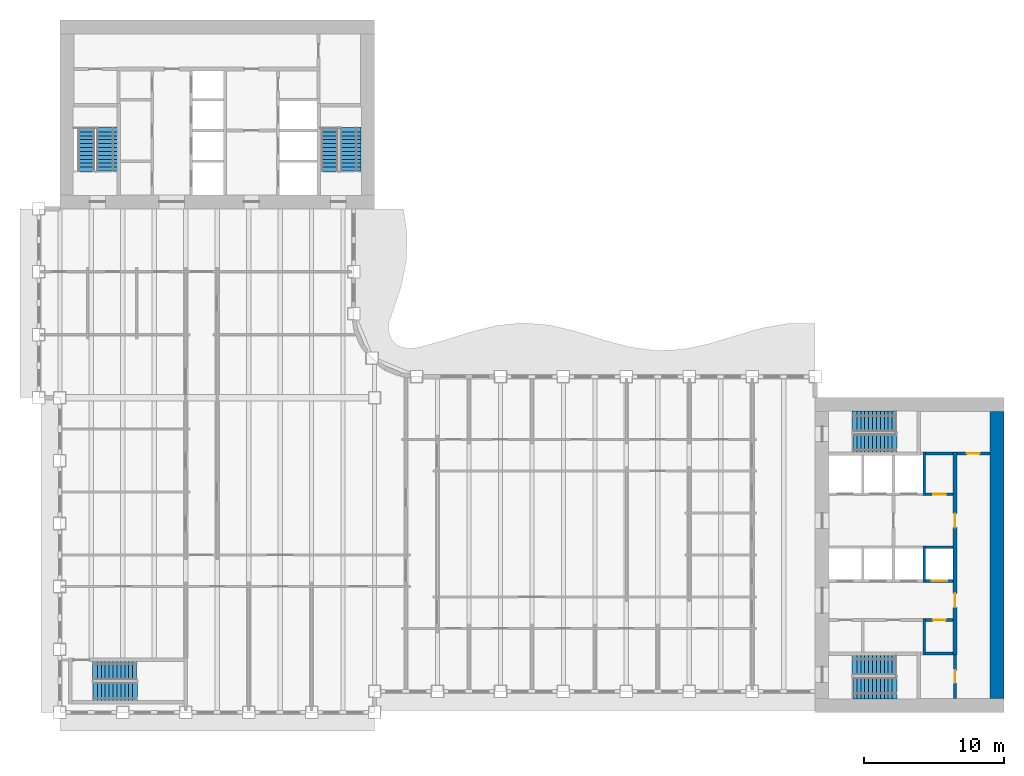
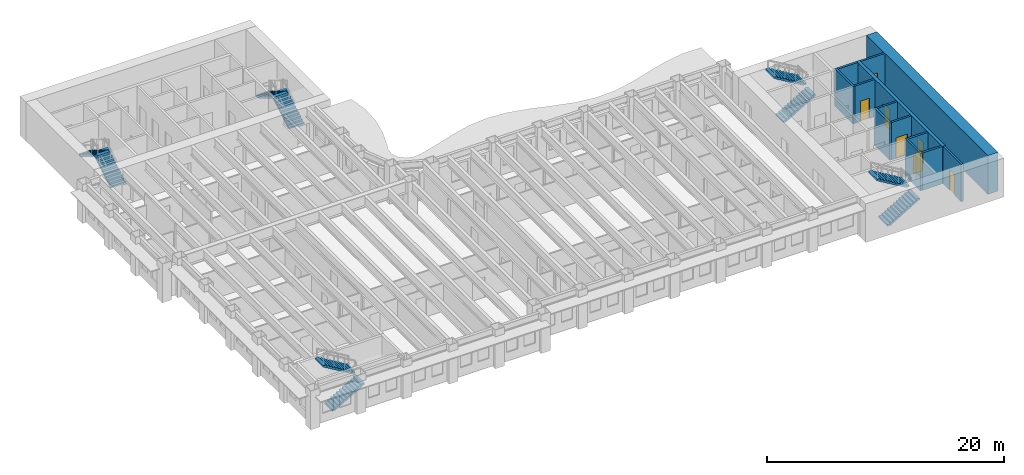
# One storey, part 10 of 16: 13 walls, 10 stair flights, 7 doors, 7 openings, 5 elements without a shape of their own.
"""IFC4 building model written with IfcOpenShell, lengths in metres."""

from ifc_helpers import new_model, si_unit, direction, frame, frame_2d, origin, place, context, subcontext, project, spatial, polyline, rectangle, outline, extrude, material, layer, layer_set, type_object, element, fill, aggregate, save


model = new_model("IFC4")

# Units and contexts
model_context = context("Model", 3, precision=1e-05, world=origin(), true_north=direction((0.0, 1.0)))
body_context = subcontext(model_context, "Body", "Model", "MODEL_VIEW")
ifc_project = project(units=[si_unit("LENGTHUNIT", "METRE"), si_unit("AREAUNIT", "SQUARE_METRE"), si_unit("VOLUMEUNIT", "CUBIC_METRE"), si_unit("PLANEANGLEUNIT", "RADIAN"), si_unit("MASSUNIT", "GRAM", prefix="KILO")], contexts=[model_context])

# Site, building, storey
site_placement = place(None, origin())
site = spatial("IfcSite", under=ifc_project, at=site_placement, CompositionType="ELEMENT")
building_placement = place(site_placement, origin())
building = spatial("IfcBuilding", under=site, at=building_placement, Name="Sennacour Bend Tower", CompositionType="ELEMENT")
storey_placement = place(building_placement, frame((0.0, 0.0, 159.0)))
storey = spatial("IfcBuildingStorey", under=building, at=storey_placement, Name="L36", CompositionType="ELEMENT", Elevation=159.0)

# Walls
ifc_material_1 = material(Name="Concrete C60/75", Category="concrete")
ifc_layer_1 = layer(ifc_material_1, 1.0, Name="Concrete C60/75", Category="concrete")
ifc_layer_set_1 = layer_set([ifc_layer_1], Name="Concrete C60/75")
wall_type_1 = type_object("IfcWallType", Name="Core wall 1000 C60/75", PredefinedType="SHEAR", material=ifc_layer_set_1)
wall_1_placement = place(storey_placement, frame((67.0, 1.0, -0.14990234375), z_axis=(0.0, 0.0, 1.0), x_axis=(0.0, 1.0, 0.0)))
element("IfcWall", 1, at=wall_1_placement, inside=storey, type_object=wall_type_1, Name="Core A wall L36 E", PredefinedType="SHEAR", context=body_context, shape_type="SweptSolid", body=[
    extrude(rectangle(XDim=20.5, YDim=1.0, at=frame_2d((10.25, 0.0))), origin(), (0.0, 0.0, 1.0), 4.0),
])
ifc_material_2 = material(Name="Fire-rated plasterboard partition on steel studs", Category="steel")
ifc_layer_2 = layer(ifc_material_2, 0.199951171875, Name="Fire-rated plasterboard partition on steel studs", Category="steel")
ifc_layer_set_2 = layer_set([ifc_layer_2], Name="Fire-rated plasterboard partition on steel studs")
wall_type_2 = type_object("IfcWallType", Name="Rated partition 200", PredefinedType="PARTITIONING", material=ifc_layer_set_2)
wall_2_placement = place(storey_placement, frame((61.800048828125, 4.10009765625, 0.0), z_axis=(0.0, 0.0, 1.0), x_axis=(0.0, 1.0, 0.0)))
element("IfcWall", 2, at=wall_2_placement, inside=storey, type_object=wall_type_2, Name="P-L36-W046", PredefinedType="PARTITIONING", context=body_context, shape_type="SweptSolid", body=[
    extrude(rectangle(XDim=2.599853515625, YDim=0.199951171875, at=frame_2d((1.2998046875, 0.0))), origin(), (0.0, 0.0, 1.0), 3.85009765625),
])

# Wall, opening, door
wall_3_placement = place(storey_placement, frame((64.0, 1.0, 0.0), z_axis=(0.0, 0.0, 1.0), x_axis=(0.0, 1.0, 0.0)))
wall_3 = element("IfcWall", 3, at=wall_3_placement, inside=storey, type_object=wall_type_2, Name="P-L36-W049", PredefinedType="PARTITIONING", context=body_context, shape_type="SweptSolid", body=[
    extrude(rectangle(XDim=3.10009765625, YDim=0.199951171875, at=frame_2d((1.550048828125, 0.0))), origin(), (0.0, 0.0, 1.0), 3.85009765625),
])
opening_1_placement = place(wall_3_placement, frame((1.10009765625, 0.0, 0.0)))
opening_1 = element("IfcOpeningElement", 4, at=opening_1_placement, cuts=wall_3, Name="Opening SV", PredefinedType="OPENING", context=body_context, shape_type="SweptSolid", body=[
    extrude(rectangle(XDim=0.89990234375, YDim=2.10009765625, at=frame_2d((0.449951171875, 1.050048828125))), frame((0.0, 0.10986328125, 0.0), z_axis=(0.0, -1.0, 0.0), x_axis=(1.0, 0.0, 0.0)), (0.0, 0.0, 1.0), 0.219970703125),
])
ifc_material_3 = material(Name="Painted steel", Category="steel")
door_type_1 = type_object("IfcDoorType", Name="DR-SERVICE-900", OperationType="NOTDEFINED", PredefinedType="DOOR", material=ifc_material_3)
door_1_placement = place(opening_1_placement, origin())
door_1 = element("IfcDoor", 5, at=door_1_placement, inside=storey, type_object=door_type_1, Name="Door", OperationType="SINGLE_SWING_LEFT", OverallHeight=2.10009765625, OverallWidth=0.89990234375, PredefinedType="DOOR", context=body_context, shape_type="SweptSolid", body=[
    extrude(rectangle(XDim=0.89990234375, YDim=2.10009765625, at=frame_2d((0.449951171875, 1.050048828125))), frame((0.0, 0.02490234375, 0.0), z_axis=(0.0, -1.0, 0.0), x_axis=(1.0, 0.0, 0.0)), (0.0, 0.0, 1.0), 0.050048828125),
])
fill(opening_1, door_1)

# Wall
wall_4_placement = place(storey_placement, frame((61.89990234375, 4.199951171875, 0.0), z_axis=(0.0, 0.0, 1.0), x_axis=(1.0, 0.0, 0.0)))
element("IfcWall", 6, at=wall_4_placement, inside=storey, type_object=wall_type_2, Name="P-L36-W057b", PredefinedType="PARTITIONING", context=body_context, shape_type="SweptSolid", body=[
    extrude(rectangle(XDim=1.9501953125, YDim=0.199951171875, at=frame_2d((0.97509765625, 0.0))), origin(), (0.0, 0.0, 1.0), 3.85009765625),
])

# Wall, opening, door
wall_5_placement = place(storey_placement, frame((61.89990234375, 6.60009765625, 0.0), z_axis=(0.0, 0.0, 1.0), x_axis=(1.0, 0.0, 0.0)))
wall_5 = element("IfcWall", 7, at=wall_5_placement, inside=storey, type_object=wall_type_2, Name="P-L36-W059c", PredefinedType="PARTITIONING", context=body_context, shape_type="SweptSolid", body=[
    extrude(rectangle(XDim=1.9501953125, YDim=0.199951171875, at=frame_2d((0.97509765625, 0.0))), origin(), (0.0, 0.0, 1.0), 3.85009765625),
])
opening_2_placement = place(wall_5_placement, frame((0.525146484375, 0.0, 0.0)))
opening_2 = element("IfcOpeningElement", 8, at=opening_2_placement, cuts=wall_5, Name="Opening SV", PredefinedType="OPENING", context=body_context, shape_type="SweptSolid", body=[
    extrude(rectangle(XDim=0.89990234375, YDim=2.10009765625, at=frame_2d((0.449951171875, 1.050048828125))), frame((0.0, 0.10986328125, 0.0), z_axis=(0.0, -1.0, 0.0), x_axis=(1.0, 0.0, 0.0)), (0.0, 0.0, 1.0), 0.219970703125),
])
door_2_placement = place(opening_2_placement, origin())
door_2 = element("IfcDoor", 9, at=door_2_placement, inside=storey, type_object=door_type_1, Name="Door", OperationType="SINGLE_SWING_LEFT", OverallHeight=2.10009765625, OverallWidth=0.89990234375, PredefinedType="DOOR", context=body_context, shape_type="SweptSolid", body=[
    extrude(rectangle(XDim=0.89990234375, YDim=2.10009765625, at=frame_2d((0.449951171875, 1.050048828125))), frame((0.0, 0.02490234375, 0.0), z_axis=(0.0, -1.0, 0.0), x_axis=(1.0, 0.0, 0.0)), (0.0, 0.0, 1.0), 0.050048828125),
])
fill(opening_2, door_2)

wall_6_placement = place(storey_placement, frame((61.89990234375, 15.60009765625, 0.0), z_axis=(0.0, 0.0, 1.0), x_axis=(1.0, 0.0, 0.0)))
wall_6 = element("IfcWall", 10, at=wall_6_placement, inside=storey, type_object=wall_type_2, Name="P-L36-W068", PredefinedType="PARTITIONING", context=body_context, shape_type="SweptSolid", body=[
    extrude(rectangle(XDim=1.9501953125, YDim=0.199951171875, at=frame_2d((0.97509765625, 0.0))), origin(), (0.0, 0.0, 1.0), 3.85009765625),
])
opening_3_placement = place(wall_6_placement, frame((0.525146484375, 0.0, 0.0)))
opening_3 = element("IfcOpeningElement", 11, at=opening_3_placement, cuts=wall_6, Name="Opening SV", PredefinedType="OPENING", context=body_context, shape_type="SweptSolid", body=[
    extrude(rectangle(XDim=0.89990234375, YDim=2.10009765625, at=frame_2d((0.449951171875, 1.050048828125))), frame((0.0, 0.10986328125, 0.0), z_axis=(0.0, -1.0, 0.0), x_axis=(1.0, 0.0, 0.0)), (0.0, 0.0, 1.0), 0.219970703125),
])
door_3_placement = place(opening_3_placement, origin())
door_3 = element("IfcDoor", 12, at=door_3_placement, inside=storey, type_object=door_type_1, Name="Door", OperationType="SINGLE_SWING_RIGHT", OverallHeight=2.10009765625, OverallWidth=0.89990234375, PredefinedType="DOOR", context=body_context, shape_type="SweptSolid", body=[
    extrude(rectangle(XDim=0.89990234375, YDim=2.10009765625, at=frame_2d((0.449951171875, 1.050048828125))), frame((0.0, 0.02490234375, 0.0), z_axis=(0.0, -1.0, 0.0), x_axis=(1.0, 0.0, 0.0)), (0.0, 0.0, 1.0), 0.050048828125),
])
fill(opening_3, door_3)

# Wall
wall_7_placement = place(storey_placement, frame((61.89990234375, 18.5, 0.0), z_axis=(0.0, 0.0, 1.0), x_axis=(1.0, 0.0, 0.0)))
element("IfcWall", 13, at=wall_7_placement, inside=storey, type_object=wall_type_2, Name="P-L36-W073a", PredefinedType="PARTITIONING", context=body_context, shape_type="SweptSolid", body=[
    extrude(rectangle(XDim=1.9501953125, YDim=0.199951171875, at=frame_2d((0.97509765625, 0.0))), origin(), (0.0, 0.0, 1.0), 3.85009765625),
])

# Wall, opening, door
wall_8_placement = place(storey_placement, frame((64.14990234375, 18.5, 0.0), z_axis=(0.0, 0.0, 1.0), x_axis=(1.0, 0.0, 0.0)))
wall_8 = element("IfcWall", 14, at=wall_8_placement, inside=storey, type_object=wall_type_2, Name="P-L36-W073b", PredefinedType="PARTITIONING", context=body_context, shape_type="SweptSolid", body=[
    extrude(rectangle(XDim=2.35009765625, YDim=0.199951171875, at=frame_2d((1.175048828125, 0.0))), origin(), (0.0, 0.0, 1.0), 3.85009765625),
])
opening_4_placement = place(wall_8_placement, frame((0.7001953125, 0.0, 0.0)))
opening_4 = element("IfcOpeningElement", 15, at=opening_4_placement, cuts=wall_8, Name="Opening SV", PredefinedType="OPENING", context=body_context, shape_type="SweptSolid", body=[
    extrude(rectangle(XDim=0.89990234375, YDim=2.10009765625, at=frame_2d((0.449951171875, 1.050048828125))), frame((0.0, 0.10986328125, 0.0), z_axis=(0.0, -1.0, 0.0), x_axis=(1.0, 0.0, 0.0)), (0.0, 0.0, 1.0), 0.219970703125),
])
door_4_placement = place(opening_4_placement, origin())
door_4 = element("IfcDoor", 16, at=door_4_placement, inside=storey, type_object=door_type_1, Name="Door", OperationType="SINGLE_SWING_LEFT", OverallHeight=2.10009765625, OverallWidth=0.89990234375, PredefinedType="DOOR", context=body_context, shape_type="SweptSolid", body=[
    extrude(rectangle(XDim=0.89990234375, YDim=2.10009765625, at=frame_2d((0.449951171875, 1.050048828125))), frame((0.0, 0.02490234375, 0.0), z_axis=(0.0, -1.0, 0.0), x_axis=(1.0, 0.0, 0.0)), (0.0, 0.0, 1.0), 0.050048828125),
])
fill(opening_4, door_4)

# Walls
ifc_material_4 = material(Name="Concrete C50/60", Category="concrete")
ifc_layer_3 = layer(ifc_material_4, 0.199951171875, Name="Concrete C50/60", Category="concrete")
ifc_layer_set_3 = layer_set([ifc_layer_3], Name="Concrete C50/60")
wall_type_3 = type_object("IfcWallType", Name="Shaft wall 200", PredefinedType="SOLIDWALL", material=ifc_layer_set_3)
wall_9_placement = place(storey_placement, frame((61.800048828125, 9.300048828125, 0.0), z_axis=(0.0, 0.0, 1.0), x_axis=(0.0, 1.0, 0.0)))
element("IfcWall", 17, at=wall_9_placement, inside=storey, type_object=wall_type_3, Name="P-L36-W047", PredefinedType="SOLIDWALL", context=body_context, shape_type="SweptSolid", body=[
    extrude(rectangle(XDim=2.599853515625, YDim=0.199951171875, at=frame_2d((1.2998046875, 0.0))), origin(), (0.0, 0.0, 1.0), 3.85009765625),
])
wall_10_placement = place(storey_placement, frame((61.800048828125, 15.5, 0.0), z_axis=(0.0, 0.0, 1.0), x_axis=(0.0, 1.0, 0.0)))
element("IfcWall", 18, at=wall_10_placement, inside=storey, type_object=wall_type_3, Name="P-L36-W048", PredefinedType="SOLIDWALL", context=body_context, shape_type="SweptSolid", body=[
    extrude(rectangle(XDim=3.10009765625, YDim=0.199951171875, at=frame_2d((1.550048828125, 0.0))), origin(), (0.0, 0.0, 1.0), 3.85009765625),
])

# Wall, opening, door
wall_11_placement = place(storey_placement, frame((61.89990234375, 9.39990234375, 0.0), z_axis=(0.0, 0.0, 1.0), x_axis=(1.0, 0.0, 0.0)))
wall_11 = element("IfcWall", 19, at=wall_11_placement, inside=storey, type_object=wall_type_3, Name="P-L36-W062d", PredefinedType="SOLIDWALL", context=body_context, shape_type="SweptSolid", body=[
    extrude(rectangle(XDim=1.9501953125, YDim=0.199951171875, at=frame_2d((0.97509765625, 0.0))), origin(), (0.0, 0.0, 1.0), 3.85009765625),
])
opening_5_placement = place(wall_11_placement, frame((0.425048828125, 0.0, 0.011962890625)))
opening_5 = element("IfcOpeningElement", 20, at=opening_5_placement, cuts=wall_11, Name="Opening LD", PredefinedType="OPENING", context=body_context, shape_type="SweptSolid", body=[
    extrude(rectangle(XDim=1.10009765625, YDim=2.10009765625, at=frame_2d((0.550048828125, 1.050048828125))), frame((0.0, 0.10986328125, 0.0), z_axis=(0.0, -1.0, 0.0), x_axis=(1.0, 0.0, 0.0)), (0.0, 0.0, 1.0), 0.219970703125),
])
ifc_material_5 = material(Name="Stainless steel", Category="steel")
door_type_2 = type_object("IfcDoorType", Name="DR-LANDING-1100", OperationType="NOTDEFINED", PredefinedType="DOOR", material=ifc_material_5)
door_5_placement = place(opening_5_placement, origin())
door_5 = element("IfcDoor", 21, at=door_5_placement, inside=storey, type_object=door_type_2, Name="Lift landing door HA4", OperationType="SLIDING_TO_RIGHT", OverallHeight=2.10009765625, OverallWidth=1.10009765625, PredefinedType="DOOR", context=body_context, shape_type="SweptSolid", body=[
    extrude(rectangle(XDim=1.10009765625, YDim=2.10009765625, at=frame_2d((0.550048828125, 1.050048828125))), frame((0.0, 0.02490234375, 0.0), z_axis=(0.0, -1.0, 0.0), x_axis=(1.0, 0.0, 0.0)), (0.0, 0.0, 1.0), 0.050048828125),
])
fill(opening_5, door_5)

# Wall
wall_12_placement = place(storey_placement, frame((61.89990234375, 11.800048828125, 0.0), z_axis=(0.0, 0.0, 1.0), x_axis=(1.0, 0.0, 0.0)))
element("IfcWall", 22, at=wall_12_placement, inside=storey, type_object=wall_type_3, Name="P-L36-W065d", PredefinedType="SOLIDWALL", context=body_context, shape_type="SweptSolid", body=[
    extrude(rectangle(XDim=1.9501953125, YDim=0.199951171875, at=frame_2d((0.97509765625, 0.0))), origin(), (0.0, 0.0, 1.0), 3.85009765625),
])

# Wall, openings, doors
ifc_layer_4 = layer(ifc_material_1, 0.300048828125, Name="Concrete C60/75", Category="concrete")
ifc_layer_set_4 = layer_set([ifc_layer_4], Name="Concrete C60/75")
wall_type_4 = type_object("IfcWallType", Name="Spine wall 300", PredefinedType="SHEAR", material=ifc_layer_set_4)
wall_13_placement = place(storey_placement, frame((64.0, 4.10009765625, 0.0), z_axis=(0.0, 0.0, 1.0), x_axis=(0.0, 1.0, 0.0)))
wall_13 = element("IfcWall", 23, at=wall_13_placement, inside=storey, type_object=wall_type_4, Name="P-L36-W050", PredefinedType="SHEAR", context=body_context, shape_type="SweptSolid", body=[
    extrude(rectangle(XDim=14.5, YDim=0.300048828125, at=frame_2d((7.25, 0.0))), origin(), (0.0, 0.0, 1.0), 3.85009765625),
])
opening_6_placement = place(wall_13_placement, frame((3.39990234375, 0.0, 0.0)))
opening_6 = element("IfcOpeningElement", 24, at=opening_6_placement, cuts=wall_13, Name="Opening CD2", PredefinedType="OPENING", context=body_context, shape_type="SweptSolid", body=[
    extrude(rectangle(XDim=1.0, YDim=2.10009765625, at=frame_2d((0.5, 1.050048828125))), frame((0.0, 0.16015625, 0.0), z_axis=(0.0, -1.0, 0.0), x_axis=(1.0, 0.0, 0.0)), (0.0, 0.0, 1.0), 0.320068359375),
])
opening_7_placement = place(wall_13_placement, frame((9.099853515625, 0.0, 0.0)))
opening_7 = element("IfcOpeningElement", 25, at=opening_7_placement, cuts=wall_13, Name="Opening CD2", PredefinedType="OPENING", context=body_context, shape_type="SweptSolid", body=[
    extrude(rectangle(XDim=1.0, YDim=2.10009765625, at=frame_2d((0.5, 1.050048828125))), frame((0.0, 0.16015625, 0.0), z_axis=(0.0, -1.0, 0.0), x_axis=(1.0, 0.0, 0.0)), (0.0, 0.0, 1.0), 0.320068359375),
])
door_type_3 = type_object("IfcDoorType", Name="DR-LOBBY-1000", OperationType="NOTDEFINED", PredefinedType="DOOR", material=ifc_material_3)
door_6_placement = place(opening_6_placement, origin())
door_6 = element("IfcDoor", 26, at=door_6_placement, inside=storey, type_object=door_type_3, Name="Door", OperationType="SINGLE_SWING_LEFT", OverallHeight=2.10009765625, OverallWidth=1.0, PredefinedType="DOOR", context=body_context, shape_type="SweptSolid", body=[
    extrude(rectangle(XDim=1.0, YDim=2.10009765625, at=frame_2d((0.5, 1.050048828125))), frame((0.0, 0.02490234375, 0.0), z_axis=(0.0, -1.0, 0.0), x_axis=(1.0, 0.0, 0.0)), (0.0, 0.0, 1.0), 0.050048828125),
])
fill(opening_6, door_6)
door_7_placement = place(opening_7_placement, origin())
door_7 = element("IfcDoor", 27, at=door_7_placement, inside=storey, type_object=door_type_3, Name="Door", OperationType="SINGLE_SWING_RIGHT", OverallHeight=2.10009765625, OverallWidth=1.0, PredefinedType="DOOR", context=body_context, shape_type="SweptSolid", body=[
    extrude(rectangle(XDim=1.0, YDim=2.10009765625, at=frame_2d((0.5, 1.050048828125))), frame((0.0, 0.02490234375, 0.0), z_axis=(0.0, -1.0, 0.0), x_axis=(1.0, 0.0, 0.0)), (0.0, 0.0, 1.0), 0.050048828125),
])
fill(opening_7, door_7)

# Stair, stair flights
ifc_material_6 = material(Name="Concrete C40/50", Category="concrete")
stair_type = type_object("IfcStairType", Name="ST-DOGLEG", PredefinedType="HALF_TURN_STAIR", material=ifc_material_6)
stair_1_placement = place(storey_placement, origin())
stair_1 = element("IfcStair", 28, at=stair_1_placement, inside=storey, type_object=stair_type, Name="L36 Exit stair A1", PredefinedType="HALF_TURN_STAIR")
stair_flight_type = type_object("IfcStairFlightType", Name="SFL-RC", PredefinedType="STRAIGHT", material=ifc_material_6)
stair_flight_1_placement = place(storey_placement, frame((56.699951171875, 1.735107421875, 0.0), z_axis=(0.0, 0.0, 1.0), x_axis=(1.0, 0.0, 0.0)))
stair_flight_1 = element("IfcStairFlight", 29, at=stair_flight_1_placement, type_object=stair_flight_type, Name="SA1 flight 1", NumberOfRisers=12, NumberOfTreads=11, PredefinedType="STRAIGHT", RiserHeight=0.166666667, TreadLength=0.28, context=body_context, shape_type="SweptSolid", body=[
    extrude(outline(polyline([(0.0, 0.0), (0.0, 0.166748046875), (0.280029296875, 0.166748046875), (0.280029296875, 0.333251953125), (0.56005859375, 0.333251953125), (0.56005859375, 0.5), (0.840087890625, 0.5), (0.840087890625, 0.666748046875), (1.1201171875, 0.666748046875), (1.1201171875, 0.833251953125), (1.39990234375, 0.833251953125), (1.39990234375, 1.0), (1.679931640625, 1.0), (1.679931640625, 1.166748046875), (1.9599609375, 1.166748046875), (1.9599609375, 1.333251953125), (2.239990234375, 1.333251953125), (2.239990234375, 1.5), (2.52001953125, 1.5), (2.52001953125, 1.666748046875), (2.800048828125, 1.666748046875), (2.800048828125, 1.833251953125), (3.080078125, 1.833251953125), (3.139892578125, 1.833251953125), (3.139892578125, 1.658935546875), (3.080078125, 1.658935546875), (0.29296875, 0.0), (0.0, 0.0)])), frame((0.0, 0.76513671875, 0.0), z_axis=(0.0, -1.0, 0.0), x_axis=(1.0, 0.0, 0.0)), (0.0, 0.0, 1.0), 1.530029296875),
])
stair_flight_2_placement = place(storey_placement, frame((59.780029296875, 3.37744140625, 2.0), z_axis=(0.0, 0.0, 1.0), x_axis=(-1.0, 0.0, 0.0)))
stair_flight_2 = element("IfcStairFlight", 30, at=stair_flight_2_placement, type_object=stair_flight_type, Name="SA1 flight 2", NumberOfRisers=12, NumberOfTreads=11, PredefinedType="STRAIGHT", RiserHeight=0.166666667, TreadLength=0.28, context=body_context, shape_type="SweptSolid", body=[
    extrude(outline(polyline([(0.0, 0.0), (0.0, 0.166748046875), (0.280029296875, 0.166748046875), (0.280029296875, 0.333251953125), (0.56005859375, 0.333251953125), (0.56005859375, 0.5), (0.840087890625, 0.5), (0.840087890625, 0.666748046875), (1.1201171875, 0.666748046875), (1.1201171875, 0.833251953125), (1.39990234375, 0.833251953125), (1.39990234375, 1.0), (1.679931640625, 1.0), (1.679931640625, 1.166748046875), (1.9599609375, 1.166748046875), (1.9599609375, 1.333251953125), (2.239990234375, 1.333251953125), (2.239990234375, 1.5), (2.52001953125, 1.5), (2.52001953125, 1.666748046875), (2.800048828125, 1.666748046875), (2.800048828125, 1.833251953125), (3.080078125, 1.833251953125), (3.139892578125, 1.833251953125), (3.139892578125, 1.658935546875), (3.080078125, 1.658935546875), (0.29296875, 0.0), (0.0, 0.0)])), frame((0.0, 0.7275390625, 0.0), z_axis=(0.0, -1.0, 0.0), x_axis=(1.0, 0.0, 0.0)), (0.0, 0.0, 1.0), 1.455078125),
])
aggregate(stair_1, [stair_flight_1, stair_flight_2])

stair_2_placement = place(storey_placement, origin())
stair_2 = element("IfcStair", 31, at=stair_2_placement, inside=storey, type_object=stair_type, Name="L36 Exit stair A2", PredefinedType="HALF_TURN_STAIR")
stair_flight_3_placement = place(storey_placement, frame((56.699951171875, 19.24755859375, 0.0), z_axis=(0.0, 0.0, 1.0), x_axis=(1.0, 0.0, 0.0)))
stair_flight_3 = element("IfcStairFlight", 32, at=stair_flight_3_placement, type_object=stair_flight_type, Name="SA2 flight 1", NumberOfRisers=12, NumberOfTreads=11, PredefinedType="STRAIGHT", RiserHeight=0.166666667, TreadLength=0.28, context=body_context, shape_type="SweptSolid", body=[
    extrude(outline(polyline([(0.0, 0.0), (0.0, 0.166748046875), (0.280029296875, 0.166748046875), (0.280029296875, 0.333251953125), (0.56005859375, 0.333251953125), (0.56005859375, 0.5), (0.840087890625, 0.5), (0.840087890625, 0.666748046875), (1.1201171875, 0.666748046875), (1.1201171875, 0.833251953125), (1.39990234375, 0.833251953125), (1.39990234375, 1.0), (1.679931640625, 1.0), (1.679931640625, 1.166748046875), (1.9599609375, 1.166748046875), (1.9599609375, 1.333251953125), (2.239990234375, 1.333251953125), (2.239990234375, 1.5), (2.52001953125, 1.5), (2.52001953125, 1.666748046875), (2.800048828125, 1.666748046875), (2.800048828125, 1.833251953125), (3.080078125, 1.833251953125), (3.139892578125, 1.833251953125), (3.139892578125, 1.658935546875), (3.080078125, 1.658935546875), (0.29296875, 0.0), (0.0, 0.0)])), frame((0.0, 0.65234375, 0.0), z_axis=(0.0, -1.0, 0.0), x_axis=(1.0, 0.0, 0.0)), (0.0, 0.0, 1.0), 1.304931640625),
])
stair_flight_4_placement = place(storey_placement, frame((59.780029296875, 20.7900390625, 2.0), z_axis=(0.0, 0.0, 1.0), x_axis=(-1.0, 0.0, 0.0)))
stair_flight_4 = element("IfcStairFlight", 33, at=stair_flight_4_placement, type_object=stair_flight_type, Name="SA2 flight 2", NumberOfRisers=12, NumberOfTreads=11, PredefinedType="STRAIGHT", RiserHeight=0.166666667, TreadLength=0.28, context=body_context, shape_type="SweptSolid", body=[
    extrude(outline(polyline([(0.0, 0.0), (0.0, 0.166748046875), (0.280029296875, 0.166748046875), (0.280029296875, 0.333251953125), (0.56005859375, 0.333251953125), (0.56005859375, 0.5), (0.840087890625, 0.5), (0.840087890625, 0.666748046875), (1.1201171875, 0.666748046875), (1.1201171875, 0.833251953125), (1.39990234375, 0.833251953125), (1.39990234375, 1.0), (1.679931640625, 1.0), (1.679931640625, 1.166748046875), (1.9599609375, 1.166748046875), (1.9599609375, 1.333251953125), (2.239990234375, 1.333251953125), (2.239990234375, 1.5), (2.52001953125, 1.5), (2.52001953125, 1.666748046875), (2.800048828125, 1.666748046875), (2.800048828125, 1.833251953125), (3.080078125, 1.833251953125), (3.139892578125, 1.833251953125), (3.139892578125, 1.658935546875), (3.080078125, 1.658935546875), (0.29296875, 0.0), (0.0, 0.0)])), frame((0.0, 0.739990234375, 0.0), z_axis=(0.0, -1.0, 0.0), x_axis=(1.0, 0.0, 0.0)), (0.0, 0.0, 1.0), 1.47998046875),
])
aggregate(stair_2, [stair_flight_3, stair_flight_4])

stair_3_placement = place(storey_placement, origin())
stair_3 = element("IfcStair", 34, at=stair_3_placement, inside=storey, type_object=stair_type, Name="L36 Exit stair B1", PredefinedType="HALF_TURN_STAIR")
stair_flight_5_placement = place(storey_placement, frame((3.37744140625, 38.699951171875, 0.0), z_axis=(0.0, 0.0, 1.0), x_axis=(0.0, 1.0, 0.0)))
stair_flight_5 = element("IfcStairFlight", 35, at=stair_flight_5_placement, type_object=stair_flight_type, Name="SB1 flight 1", NumberOfRisers=12, NumberOfTreads=11, PredefinedType="STRAIGHT", RiserHeight=0.166666667, TreadLength=0.28, context=body_context, shape_type="SweptSolid", body=[
    extrude(outline(polyline([(0.0, 0.0), (0.0, 0.166748046875), (0.280029296875, 0.166748046875), (0.280029296875, 0.333251953125), (0.56005859375, 0.333251953125), (0.56005859375, 0.5), (0.840087890625, 0.5), (0.840087890625, 0.666748046875), (1.1201171875, 0.666748046875), (1.1201171875, 0.833251953125), (1.39990234375, 0.833251953125), (1.39990234375, 1.0), (1.679931640625, 1.0), (1.679931640625, 1.166748046875), (1.9599609375, 1.166748046875), (1.9599609375, 1.333251953125), (2.239990234375, 1.333251953125), (2.239990234375, 1.5), (2.52001953125, 1.5), (2.52001953125, 1.666748046875), (2.800048828125, 1.666748046875), (2.800048828125, 1.833251953125), (3.080078125, 1.833251953125), (3.139892578125, 1.833251953125), (3.139892578125, 1.658935546875), (3.080078125, 1.658935546875), (0.29296875, 0.0), (0.0, 0.0)])), frame((0.0, 0.7275390625, 0.0), z_axis=(0.0, -1.0, 0.0), x_axis=(1.0, 0.0, 0.0)), (0.0, 0.0, 1.0), 1.455078125),
])
stair_flight_6_placement = place(storey_placement, frame((1.89990234375, 41.780029296875, 2.0), z_axis=(0.0, 0.0, 1.0), x_axis=(0.0, -1.0, 0.0)))
stair_flight_6 = element("IfcStairFlight", 36, at=stair_flight_6_placement, type_object=stair_flight_type, Name="SB1 flight 2", NumberOfRisers=12, NumberOfTreads=11, PredefinedType="STRAIGHT", RiserHeight=0.166666667, TreadLength=0.28, context=body_context, shape_type="SweptSolid", body=[
    extrude(outline(polyline([(0.0, 0.0), (0.0, 0.166748046875), (0.280029296875, 0.166748046875), (0.280029296875, 0.333251953125), (0.56005859375, 0.333251953125), (0.56005859375, 0.5), (0.840087890625, 0.5), (0.840087890625, 0.666748046875), (1.1201171875, 0.666748046875), (1.1201171875, 0.833251953125), (1.39990234375, 0.833251953125), (1.39990234375, 1.0), (1.679931640625, 1.0), (1.679931640625, 1.166748046875), (1.9599609375, 1.166748046875), (1.9599609375, 1.333251953125), (2.239990234375, 1.333251953125), (2.239990234375, 1.5), (2.52001953125, 1.5), (2.52001953125, 1.666748046875), (2.800048828125, 1.666748046875), (2.800048828125, 1.833251953125), (3.080078125, 1.833251953125), (3.139892578125, 1.833251953125), (3.139892578125, 1.658935546875), (3.080078125, 1.658935546875), (0.29296875, 0.0), (0.0, 0.0)])), frame((0.0, 0.60009765625, 0.0), z_axis=(0.0, -1.0, 0.0), x_axis=(1.0, 0.0, 0.0)), (0.0, 0.0, 1.0), 1.199951171875),
])
aggregate(stair_3, [stair_flight_5, stair_flight_6])

stair_4_placement = place(storey_placement, origin())
stair_4 = element("IfcStair", 37, at=stair_4_placement, inside=storey, type_object=stair_type, Name="L36 Exit stair B2", PredefinedType="HALF_TURN_STAIR")
stair_flight_7_placement = place(storey_placement, frame((20.7900390625, 38.699951171875, 0.0), z_axis=(0.0, 0.0, 1.0), x_axis=(0.0, 1.0, 0.0)))
stair_flight_7 = element("IfcStairFlight", 38, at=stair_flight_7_placement, type_object=stair_flight_type, Name="SB2 flight 1", NumberOfRisers=12, NumberOfTreads=11, PredefinedType="STRAIGHT", RiserHeight=0.166666667, TreadLength=0.28, context=body_context, shape_type="SweptSolid", body=[
    extrude(outline(polyline([(0.0, 0.0), (0.0, 0.166748046875), (0.280029296875, 0.166748046875), (0.280029296875, 0.333251953125), (0.56005859375, 0.333251953125), (0.56005859375, 0.5), (0.840087890625, 0.5), (0.840087890625, 0.666748046875), (1.1201171875, 0.666748046875), (1.1201171875, 0.833251953125), (1.39990234375, 0.833251953125), (1.39990234375, 1.0), (1.679931640625, 1.0), (1.679931640625, 1.166748046875), (1.9599609375, 1.166748046875), (1.9599609375, 1.333251953125), (2.239990234375, 1.333251953125), (2.239990234375, 1.5), (2.52001953125, 1.5), (2.52001953125, 1.666748046875), (2.800048828125, 1.666748046875), (2.800048828125, 1.833251953125), (3.080078125, 1.833251953125), (3.139892578125, 1.833251953125), (3.139892578125, 1.658935546875), (3.080078125, 1.658935546875), (0.29296875, 0.0), (0.0, 0.0)])), frame((0.0, 0.739990234375, 0.0), z_axis=(0.0, -1.0, 0.0), x_axis=(1.0, 0.0, 0.0)), (0.0, 0.0, 1.0), 1.47998046875),
])
stair_flight_8_placement = place(storey_placement, frame((19.24755859375, 41.780029296875, 2.0), z_axis=(0.0, 0.0, 1.0), x_axis=(0.0, -1.0, 0.0)))
stair_flight_8 = element("IfcStairFlight", 39, at=stair_flight_8_placement, type_object=stair_flight_type, Name="SB2 flight 2", NumberOfRisers=12, NumberOfTreads=11, PredefinedType="STRAIGHT", RiserHeight=0.166666667, TreadLength=0.28, context=body_context, shape_type="SweptSolid", body=[
    extrude(outline(polyline([(0.0, 0.0), (0.0, 0.166748046875), (0.280029296875, 0.166748046875), (0.280029296875, 0.333251953125), (0.56005859375, 0.333251953125), (0.56005859375, 0.5), (0.840087890625, 0.5), (0.840087890625, 0.666748046875), (1.1201171875, 0.666748046875), (1.1201171875, 0.833251953125), (1.39990234375, 0.833251953125), (1.39990234375, 1.0), (1.679931640625, 1.0), (1.679931640625, 1.166748046875), (1.9599609375, 1.166748046875), (1.9599609375, 1.333251953125), (2.239990234375, 1.333251953125), (2.239990234375, 1.5), (2.52001953125, 1.5), (2.52001953125, 1.666748046875), (2.800048828125, 1.666748046875), (2.800048828125, 1.833251953125), (3.080078125, 1.833251953125), (3.139892578125, 1.833251953125), (3.139892578125, 1.658935546875), (3.080078125, 1.658935546875), (0.29296875, 0.0), (0.0, 0.0)])), frame((0.0, 0.65234375, 0.0), z_axis=(0.0, -1.0, 0.0), x_axis=(1.0, 0.0, 0.0)), (0.0, 0.0, 1.0), 1.304931640625),
])
aggregate(stair_4, [stair_flight_7, stair_flight_8])

stair_5_placement = place(storey_placement, origin())
stair_5 = element("IfcStair", 40, at=stair_5_placement, inside=storey, type_object=stair_type, Name="L36 Exit stair K1", PredefinedType="HALF_TURN_STAIR")
stair_flight_9_placement = place(storey_placement, frame((2.39990234375, 1.485107421875, 0.0), z_axis=(0.0, 0.0, 1.0), x_axis=(1.0, 0.0, 0.0)))
stair_flight_9 = element("IfcStairFlight", 41, at=stair_flight_9_placement, type_object=stair_flight_type, Name="SK1 flight 1", NumberOfRisers=12, NumberOfTreads=11, PredefinedType="STRAIGHT", RiserHeight=0.166666667, TreadLength=0.28, context=body_context, shape_type="SweptSolid", body=[
    extrude(outline(polyline([(0.0, 0.0), (0.0, 0.166748046875), (0.280029296875, 0.166748046875), (0.280029296875, 0.333251953125), (0.56005859375, 0.333251953125), (0.56005859375, 0.5), (0.840087890625, 0.5), (0.840087890625, 0.666748046875), (1.1201171875, 0.666748046875), (1.1201171875, 0.833251953125), (1.39990234375, 0.833251953125), (1.39990234375, 1.0), (1.679931640625, 1.0), (1.679931640625, 1.166748046875), (1.9599609375, 1.166748046875), (1.9599609375, 1.333251953125), (2.239990234375, 1.333251953125), (2.239990234375, 1.5), (2.52001953125, 1.5), (2.52001953125, 1.666748046875), (2.800048828125, 1.666748046875), (2.800048828125, 1.833251953125), (3.080078125, 1.833251953125), (3.139892578125, 1.833251953125), (3.139892578125, 1.658935546875), (3.080078125, 1.658935546875), (0.29296875, 0.0), (0.0, 0.0)])), frame((0.0, 0.6650390625, 0.0), z_axis=(0.0, -1.0, 0.0), x_axis=(1.0, 0.0, 0.0)), (0.0, 0.0, 1.0), 1.330078125),
])
stair_flight_10_placement = place(storey_placement, frame((5.47998046875, 2.9775390625, 2.0), z_axis=(0.0, 0.0, 1.0), x_axis=(-1.0, 0.0, 0.0)))
stair_flight_10 = element("IfcStairFlight", 42, at=stair_flight_10_placement, type_object=stair_flight_type, Name="SK1 flight 2", NumberOfRisers=12, NumberOfTreads=11, PredefinedType="STRAIGHT", RiserHeight=0.166666667, TreadLength=0.28, context=body_context, shape_type="SweptSolid", body=[
    extrude(outline(polyline([(0.0, 0.0), (0.0, 0.166748046875), (0.280029296875, 0.166748046875), (0.280029296875, 0.333251953125), (0.56005859375, 0.333251953125), (0.56005859375, 0.5), (0.840087890625, 0.5), (0.840087890625, 0.666748046875), (1.1201171875, 0.666748046875), (1.1201171875, 0.833251953125), (1.39990234375, 0.833251953125), (1.39990234375, 1.0), (1.679931640625, 1.0), (1.679931640625, 1.166748046875), (1.9599609375, 1.166748046875), (1.9599609375, 1.333251953125), (2.239990234375, 1.333251953125), (2.239990234375, 1.5), (2.52001953125, 1.5), (2.52001953125, 1.666748046875), (2.800048828125, 1.666748046875), (2.800048828125, 1.833251953125), (3.080078125, 1.833251953125), (3.139892578125, 1.833251953125), (3.139892578125, 1.658935546875), (3.080078125, 1.658935546875), (0.29296875, 0.0), (0.0, 0.0)])), frame((0.0, 0.677490234375, 0.0), z_axis=(0.0, -1.0, 0.0), x_axis=(1.0, 0.0, 0.0)), (0.0, 0.0, 1.0), 1.35498046875),
])
aggregate(stair_5, [stair_flight_9, stair_flight_10])

save(model, "model.ifc")
